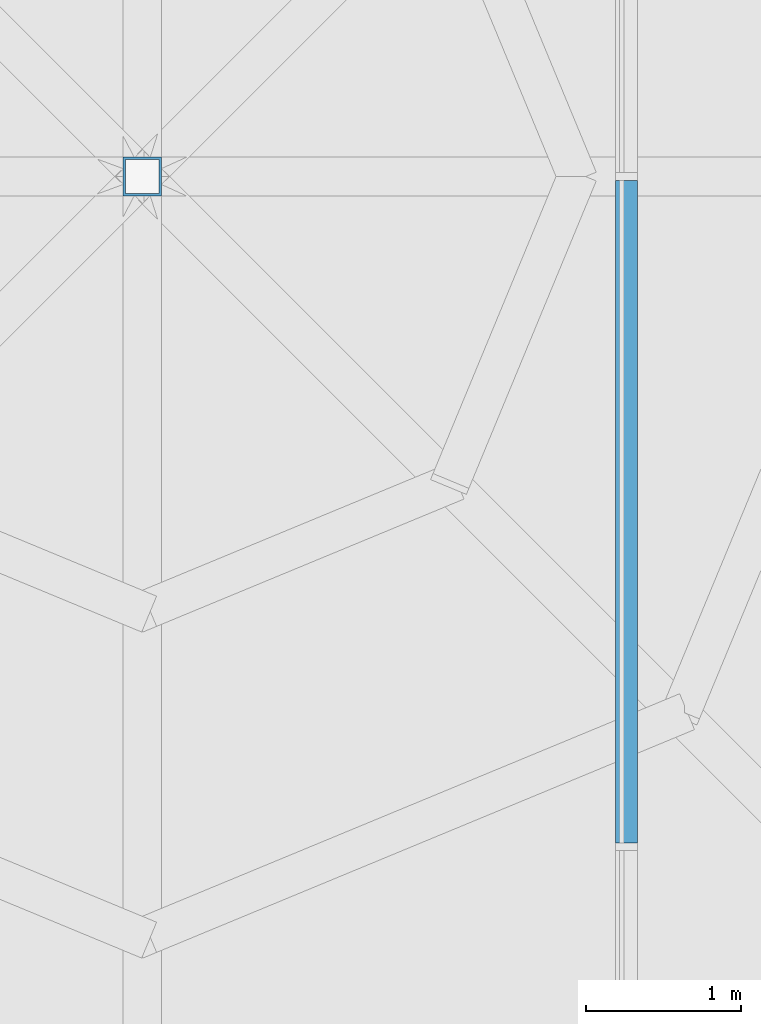
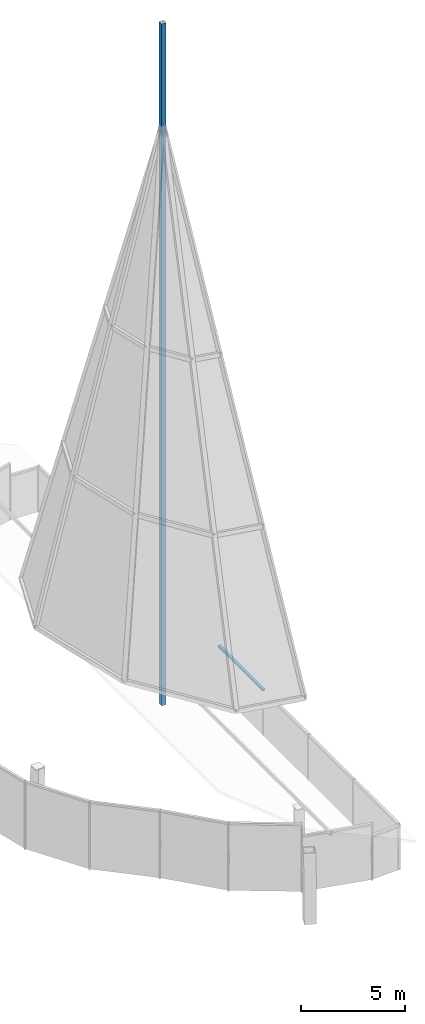
# One storey, part 10 of 16: 2 members, 1 element without a shape of its own.
"""IFC4 building model written with IfcOpenShell, lengths in metres."""

from ifc_helpers import new_model, si_unit, direction, frame, origin, origin_2d, place, context, subcontext, project, spatial, rectangle, hollow_rectangle, extrude, material, material_profile, profile_set, type_object, element, aggregate, save


model = new_model("IFC4")

# Units and contexts
model_context = context("Model", 3, precision=1e-05, world=origin(), true_north=direction((0.0, 1.0)))
body_context = subcontext(model_context, "Body", "Model", "MODEL_VIEW")
ifc_project = project(units=[si_unit("LENGTHUNIT", "METRE"), si_unit("AREAUNIT", "SQUARE_METRE"), si_unit("VOLUMEUNIT", "CUBIC_METRE"), si_unit("PLANEANGLEUNIT", "RADIAN"), si_unit("MASSUNIT", "GRAM", prefix="KILO")], contexts=[model_context])

# Site, building, storey
site_placement = place(None, origin())
site = spatial("IfcSite", under=ifc_project, at=site_placement, CompositionType="ELEMENT")
building_placement = place(site_placement, origin())
building = spatial("IfcBuilding", under=site, at=building_placement, Name="Ogive Gate Towers", CompositionType="ELEMENT")
storey_placement = place(building_placement, frame((0.0, 0.0, 310.0)))
storey = spatial("IfcBuildingStorey", under=building, at=storey_placement, Name="L73", CompositionType="ELEMENT", Elevation=310.0)

# Curtain wall, member
ifc_material_1 = material(Name="Pale metal aluminium", Category="aluminium")
curtain_wall_type = type_object("IfcCurtainWallType", Name="Crown lean wall", PredefinedType="NOTDEFINED", material=ifc_material_1)
curtain_wall_placement = place(storey_placement, origin())
curtain_wall = element("IfcCurtainWall", 1, at=curtain_wall_placement, inside=storey, type_object=curtain_wall_type, Name="CW5 T2 ECW04b", PredefinedType="NOTDEFINED")
ifc_material_profile_1 = material_profile(ifc_material_1, rectangle(XDim=0.139892578125, YDim=0.10009765625, at=origin_2d()), Name="100 x 140 aluminium box")
ifc_profile_set_1 = profile_set([ifc_material_profile_1], Name="Pale metal aluminium")
member_type_1 = type_object("IfcMemberType", Name="Crown lean wall transom 100 x 140", PredefinedType="USERDEFINED", material=ifc_profile_set_1)
member_1_placement = place(storey_placement, frame((34.1181640625, -0.02490234375, 2.330078125), z_axis=(0.0, -1.0, 0.0), x_axis=(1.0, 0.0, 0.0)))
member_1 = element("IfcMember", 2, at=member_1_placement, type_object=member_type_1, Name="CW5 transom", ObjectType="TRANSOM", PredefinedType="USERDEFINED", context=body_context, shape_type="SweptSolid", body=[
    extrude(rectangle(XDim=0.139892578125, YDim=0.10009765625, at=origin_2d()), origin(), (0.0, 0.0, 1.0), 4.2666015625),
])
aggregate(curtain_wall, [member_1])

# Member
ifc_material_2 = material(Name="Steel SM460", Category="steel")
ifc_material_profile_2 = material_profile(ifc_material_2, hollow_rectangle(XDim=0.25, YDim=0.25, WallThickness=0.01611328125, at=origin_2d()), Name="BX 250x250x16")
ifc_profile_set_2 = profile_set([ifc_material_profile_2], Name="Steel SM460")
member_type_2 = type_object("IfcMemberType", Name="Crown spire mast BX 250x250x16", PredefinedType="MEMBER", material=ifc_profile_set_2)
member_2_placement = place(storey_placement, frame((31.0, 0.0, 0.0), z_axis=(0.0, 0.0, 1.0), x_axis=(1.0, 0.0, 0.0)))
element("IfcMember", 3, at=member_2_placement, inside=storey, type_object=member_type_2, Name="Crown spire mast", PredefinedType="MEMBER", context=body_context, shape_type="SweptSolid", body=[
    extrude(hollow_rectangle(XDim=0.25, YDim=0.25, WallThickness=0.01611328125, at=origin_2d()), origin(), (0.0, 0.0, 1.0), 39.867919921875),
])

save(model, "model.ifc")
